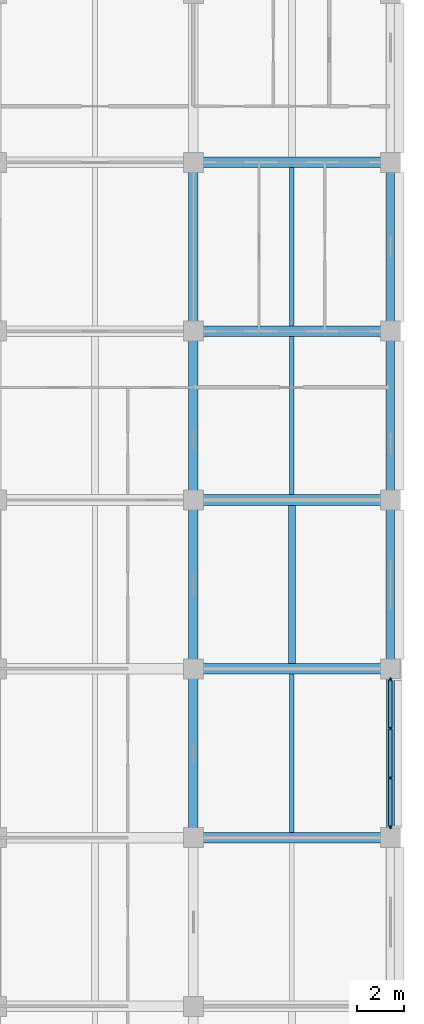
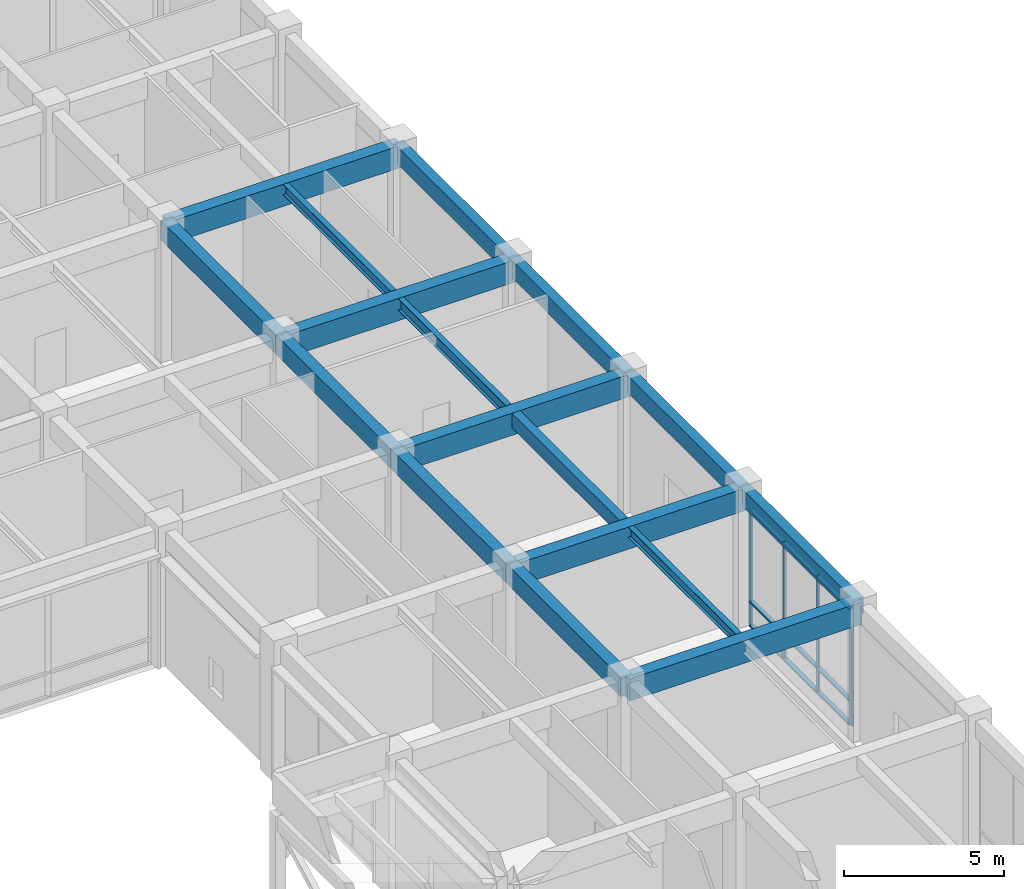
# One storey, part 27 of 68: 17 beams, 13 members, 1 element without a shape of its own.
"""IFC4 building model written with IfcOpenShell, lengths in metres."""

from ifc_helpers import new_model, si_unit, direction, frame, origin, origin_2d, place, context, subcontext, project, spatial, rectangle, i_section, extrude, material, layer, layer_set, material_profile, profile_set, type_object, element, aggregate, save


model = new_model("IFC4")

# Units and contexts
model_context = context("Model", 3, precision=1e-05, world=origin(), true_north=direction((0.0, 1.0)))
body_context = subcontext(model_context, "Body", "Model", "MODEL_VIEW")
ifc_project = project(units=[si_unit("LENGTHUNIT", "METRE"), si_unit("AREAUNIT", "SQUARE_METRE"), si_unit("VOLUMEUNIT", "CUBIC_METRE"), si_unit("PLANEANGLEUNIT", "RADIAN"), si_unit("MASSUNIT", "GRAM", prefix="KILO")], contexts=[model_context])

# Site, building, storey
site_placement = place(None, origin())
site = spatial("IfcSite", under=ifc_project, at=site_placement, CompositionType="ELEMENT")
building_placement = place(site_placement, origin())
building = spatial("IfcBuilding", under=site, at=building_placement, Name="Chengyuan Square Courthouse", CompositionType="ELEMENT")
storey_placement = place(building_placement, frame((0.0, 0.0, 5.39990234375)))
storey = spatial("IfcBuildingStorey", under=building, at=storey_placement, Name="L02", CompositionType="ELEMENT", Elevation=5.39990234375)

# Beams
ifc_material_1 = material(Name="Concrete C40", Category="concrete")
ifc_material_profile_1 = material_profile(ifc_material_1, rectangle(XDim=0.449951171875, YDim=0.85009765625, at=origin_2d()), Name="RC-BM-450x850")
ifc_profile_set_1 = profile_set([ifc_material_profile_1], Name="Concrete C40")
beam_type_1 = type_object("IfcBeamType", Name="BM-01", PredefinedType="USERDEFINED", material=ifc_profile_set_1)
for number, where, z_axis, x_axis, name in (
    (1, (159.60009765625, 64.800048828125, 4.695068359375), (1.0, 0.0, 0.0), (0.0, 1.0, 0.0), "Girder BM-L02-2114"),
    (2, (159.60009765625, 72.0, 4.695068359375), (1.0, 0.0, 0.0), (0.0, 1.0, 0.0), "Girder BM-L02-2118"),
    (3, (159.60009765625, 79.199951171875, 4.695068359375), (1.0, 0.0, 0.0), (0.0, 1.0, 0.0), "Girder BM-L02-2138"),
    (4, (159.60009765625, 86.39990234375, 4.695068359375), (1.0, 0.0, 0.0), (0.0, 1.0, 0.0), "Girder BM-L02-2158"),
    (5, (159.60009765625, 93.60009765625, 4.695068359375), (1.0, 0.0, 0.0), (0.0, 1.0, 0.0), "Girder BM-L02-2178"),
):
    element("IfcBeam", number, at=place(storey_placement, frame(where, z_axis=z_axis, x_axis=x_axis)), inside=storey, type_object=beam_type_1, Name=name, ObjectType="GIRDER", PredefinedType="USERDEFINED", context=body_context, shape_type="SweptSolid", body=[
        extrude(rectangle(XDim=0.449951171875, YDim=0.85009765625, at=origin_2d()), origin(), (0.0, 0.0, 1.0), 8.39990234375),
    ])
ifc_material_profile_2 = material_profile(ifc_material_1, rectangle(XDim=0.39990234375, YDim=0.75, at=origin_2d()), Name="RC-BM-400x750")
ifc_profile_set_2 = profile_set([ifc_material_profile_2], Name="Concrete C40")
beam_type_2 = type_object("IfcBeamType", Name="BM-02", PredefinedType="USERDEFINED", material=ifc_profile_set_2)
for number, where, z_axis, x_axis, name in (
    (6, (159.60009765625, 64.800048828125, 4.7451171875), (0.0, 1.0, 0.0), (-1.0, 0.0, 0.0), "Girder BM-L02-2369"),
    (7, (159.60009765625, 72.0, 4.7451171875), (0.0, 1.0, 0.0), (-1.0, 0.0, 0.0), "Girder BM-L02-2370"),
    (8, (159.60009765625, 79.199951171875, 4.7451171875), (0.0, 1.0, 0.0), (-1.0, 0.0, 0.0), "Girder BM-L02-2371"),
):
    element("IfcBeam", number, at=place(storey_placement, frame(where, z_axis=z_axis, x_axis=x_axis)), inside=storey, type_object=beam_type_2, Name=name, ObjectType="GIRDER", PredefinedType="USERDEFINED", context=body_context, shape_type="SweptSolid", body=[
        extrude(rectangle(XDim=0.39990234375, YDim=0.75, at=origin_2d()), origin(), (0.0, 0.0, 1.0), 7.199951171875),
    ])
beam_1_placement = place(storey_placement, frame((159.60009765625, 86.39990234375, 4.7451171875), z_axis=(0.0, 1.0, 0.0), x_axis=(-1.0, 0.0, 0.0)))
element("IfcBeam", 9, at=beam_1_placement, inside=storey, type_object=beam_type_2, Name="Girder BM-L02-2372", ObjectType="GIRDER", PredefinedType="USERDEFINED", context=body_context, shape_type="SweptSolid", body=[
    extrude(rectangle(XDim=0.39990234375, YDim=0.75, at=origin_2d()), origin(), (0.0, 0.0, 1.0), 7.2001953125),
])
ifc_material_profile_3 = material_profile(ifc_material_1, rectangle(XDim=0.35009765625, YDim=0.64990234375, at=origin_2d()), Name="RC-BM-350x650")
ifc_profile_set_3 = profile_set([ifc_material_profile_3], Name="Concrete C40")
beam_type_3 = type_object("IfcBeamType", Name="BM-03", PredefinedType="SPANDREL", material=ifc_profile_set_3)
for number, where, z_axis, x_axis, name in (
    (10, (168.0, 64.800048828125, 4.795166015625), (0.0, 1.0, 0.0), (-1.0, 0.0, 0.0), "Girder BM-L02-2384"),
    (11, (168.0, 72.0, 4.795166015625), (0.0, 1.0, 0.0), (-1.0, 0.0, 0.0), "Girder BM-L02-2385"),
    (12, (168.0, 79.199951171875, 4.795166015625), (0.0, 1.0, 0.0), (-1.0, 0.0, 0.0), "Girder BM-L02-2386"),
):
    element("IfcBeam", number, at=place(storey_placement, frame(where, z_axis=z_axis, x_axis=x_axis)), inside=storey, type_object=beam_type_3, Name=name, PredefinedType="SPANDREL", context=body_context, shape_type="SweptSolid", body=[
        extrude(rectangle(XDim=0.35009765625, YDim=0.64990234375, at=origin_2d()), origin(), (0.0, 0.0, 1.0), 7.199951171875),
    ])
beam_2_placement = place(storey_placement, frame((168.0, 86.39990234375, 4.795166015625), z_axis=(0.0, 1.0, 0.0), x_axis=(-1.0, 0.0, 0.0)))
element("IfcBeam", 13, at=beam_2_placement, inside=storey, type_object=beam_type_3, Name="Girder BM-L02-2387", PredefinedType="SPANDREL", context=body_context, shape_type="SweptSolid", body=[
    extrude(rectangle(XDim=0.35009765625, YDim=0.64990234375, at=origin_2d()), origin(), (0.0, 0.0, 1.0), 7.2001953125),
])
ifc_material_profile_4 = material_profile(ifc_material_1, rectangle(XDim=0.300048828125, YDim=0.550048828125, at=origin_2d()), Name="RC-BM-300x550")
ifc_profile_set_4 = profile_set([ifc_material_profile_4], Name="Concrete C40")
beam_type_4 = type_object("IfcBeamType", Name="BM-04", PredefinedType="BEAM", material=ifc_profile_set_4)
beam_3_placement = place(storey_placement, frame((163.800048828125, 72.22509765625, 4.84521484375), z_axis=(0.0, 1.0, 0.0), x_axis=(-1.0, 0.0, 0.0)))
element("IfcBeam", 14, at=beam_3_placement, inside=storey, type_object=beam_type_4, Name="Secondary Floor Beam SBM-L02-2503", PredefinedType="BEAM", context=body_context, shape_type="SweptSolid", body=[
    extrude(rectangle(XDim=0.300048828125, YDim=0.550048828125, at=origin_2d()), origin(), (0.0, 0.0, 1.0), 6.75),
])
ifc_material_2 = material(Name="Steel Q355B", Category="steel")
ifc_material_profile_5 = material_profile(ifc_material_2, i_section(OverallWidth=0.199951171875, OverallDepth=0.449951171875, WebThickness=0.009033203125, FlangeThickness=0.013916015625, at=origin_2d()), Name="HN 450x200x9x14")
ifc_profile_set_5 = profile_set([ifc_material_profile_5], Name="Steel Q355B")
beam_type_5 = type_object("IfcBeamType", Name="BM-06", PredefinedType="BEAM", material=ifc_profile_set_5)
beam_4_placement = place(storey_placement, frame((163.800048828125, 79.425048828125, 4.89501953125), z_axis=(0.0, 1.0, 0.0), x_axis=(-1.0, 0.0, 0.0)))
element("IfcBeam", 15, at=beam_4_placement, inside=storey, type_object=beam_type_5, Name="Secondary Floor Beam SBM-L02-2504", PredefinedType="BEAM", context=body_context, shape_type="SweptSolid", body=[
    extrude(i_section(OverallWidth=0.199951171875, OverallDepth=0.449951171875, WebThickness=0.009033203125, FlangeThickness=0.013916015625, at=origin_2d()), origin(), (0.0, 0.0, 1.0), 6.75),
])
ifc_material_profile_6 = material_profile(ifc_material_2, i_section(OverallWidth=0.199951171875, OverallDepth=0.39990234375, WebThickness=0.008056640625, FlangeThickness=0.012939453125, at=origin_2d()), Name="HN 400x200x8x13")
ifc_profile_set_6 = profile_set([ifc_material_profile_6], Name="Steel Q355B")
beam_type_6 = type_object("IfcBeamType", Name="BM-07", PredefinedType="BEAM", material=ifc_profile_set_6)
for number, where, z_axis, x_axis, name in (
    (16, (163.800048828125, 65.02490234375, 4.920166015625), (0.0, 1.0, 0.0), (-1.0, 0.0, 0.0), "Secondary Floor Beam SBM-L02-2502"),
    (17, (163.800048828125, 86.625, 4.920166015625), (0.0, 1.0, 0.0), (-1.0, 0.0, 0.0), "Secondary Floor Beam SBM-L02-2505"),
):
    element("IfcBeam", number, at=place(storey_placement, frame(where, z_axis=z_axis, x_axis=x_axis)), inside=storey, type_object=beam_type_6, Name=name, PredefinedType="BEAM", context=body_context, shape_type="SweptSolid", body=[
        extrude(i_section(OverallWidth=0.199951171875, OverallDepth=0.39990234375, WebThickness=0.008056640625, FlangeThickness=0.012939453125, at=origin_2d()), origin(), (0.0, 0.0, 1.0), 6.75),
    ])

# Curtain wall, members
ifc_material_3 = material(Name="Unitised Aluminium and Triple Low-E Glass", Category="aluminium")
ifc_layer = layer(ifc_material_3, 0.159912109375)
ifc_layer_set = layer_set([ifc_layer], Name="Unitised Aluminium and Triple Low-E Glass")
curtain_wall_type = type_object("IfcCurtainWallType", Name="CW-17", PredefinedType="USERDEFINED", material=ifc_layer_set)
curtain_wall_placement = place(storey_placement, origin())
curtain_wall = element("IfcCurtainWall", 18, at=curtain_wall_placement, inside=storey, type_object=curtain_wall_type, Name="Unitised Curtain Wall CW-L02-087", ObjectType="UNITISED CURTAIN WALL", PredefinedType="USERDEFINED")
ifc_material_4 = material(Name="Aluminium 6063-T6 Frame", Category="aluminium")
ifc_material_profile_7 = material_profile(ifc_material_4, rectangle(XDim=0.06005859375, YDim=0.159912109375, at=origin_2d()), Name="CW-MUL-60x160")
ifc_profile_set_7 = profile_set([ifc_material_profile_7], Name="Aluminium 6063-T6 Frame")
member_type_1 = type_object("IfcMemberType", Name="CWM-01", PredefinedType="MULLION", material=ifc_profile_set_7)
member_1_placement = place(storey_placement, frame((168.0, 65.2548828125, 0.0), z_axis=(0.0, 0.0, 1.0), x_axis=(-1.0, 0.0, 0.0)))
member_1 = element("IfcMember", 19, at=member_1_placement, type_object=member_type_1, Name="CW-17 mullion 1", PredefinedType="MULLION", context=body_context, shape_type="SweptSolid", body=[
    extrude(rectangle(XDim=0.06005859375, YDim=0.159912109375, at=origin_2d()), origin(), (0.0, 0.0, 1.0), 4.47021484375),
])
member_2_placement = place(storey_placement, frame((168.0, 67.341552734375, 0.0), z_axis=(0.0, 0.0, 1.0), x_axis=(-1.0, 0.0, 0.0)))
member_2 = element("IfcMember", 20, at=member_2_placement, type_object=member_type_1, Name="CW-17 mullion 2", PredefinedType="MULLION", context=body_context, shape_type="SweptSolid", body=[
    extrude(rectangle(XDim=0.06005859375, YDim=0.159912109375, at=origin_2d()), origin(), (0.0, 0.0, 1.0), 4.47021484375),
])
member_3_placement = place(storey_placement, frame((168.0, 69.458251953125, 0.0), z_axis=(0.0, 0.0, 1.0), x_axis=(-1.0, 0.0, 0.0)))
member_3 = element("IfcMember", 21, at=member_3_placement, type_object=member_type_1, Name="CW-17 mullion 3", PredefinedType="MULLION", context=body_context, shape_type="SweptSolid", body=[
    extrude(rectangle(XDim=0.06005859375, YDim=0.159912109375, at=origin_2d()), origin(), (0.0, 0.0, 1.0), 4.47021484375),
])
member_4_placement = place(storey_placement, frame((168.0, 71.544921875, 0.0), z_axis=(0.0, 0.0, 1.0), x_axis=(-1.0, 0.0, 0.0)))
member_4 = element("IfcMember", 22, at=member_4_placement, type_object=member_type_1, Name="CW-17 mullion 4", PredefinedType="MULLION", context=body_context, shape_type="SweptSolid", body=[
    extrude(rectangle(XDim=0.06005859375, YDim=0.159912109375, at=origin_2d()), origin(), (0.0, 0.0, 1.0), 4.47021484375),
])
ifc_material_profile_8 = material_profile(ifc_material_4, rectangle(XDim=0.159912109375, YDim=0.06005859375, at=origin_2d()), Name="CW-TRN-60x120")
ifc_profile_set_8 = profile_set([ifc_material_profile_8], Name="Aluminium 6063-T6 Frame")
member_type_2 = type_object("IfcMemberType", Name="CWT-01", PredefinedType="USERDEFINED", material=ifc_profile_set_8)
member_5_placement = place(storey_placement, frame((168.0, 65.284912109375, 0.030029296875), z_axis=(0.0, 1.0, 0.0), x_axis=(-1.0, 0.0, 0.0)))
member_5 = element("IfcMember", 23, at=member_5_placement, type_object=member_type_2, Name="CW-17 transom 1.1", ObjectType="TRANSOM", PredefinedType="USERDEFINED", context=body_context, shape_type="SweptSolid", body=[
    extrude(rectangle(XDim=0.159912109375, YDim=0.06005859375, at=origin_2d()), origin(), (0.0, 0.0, 1.0), 2.02685546875),
])
member_6_placement = place(storey_placement, frame((168.0, 65.284912109375, 0.9501953125), z_axis=(0.0, 1.0, 0.0), x_axis=(-1.0, 0.0, 0.0)))
member_6 = element("IfcMember", 24, at=member_6_placement, type_object=member_type_2, Name="CW-17 transom 1.2", ObjectType="TRANSOM", PredefinedType="USERDEFINED", context=body_context, shape_type="SweptSolid", body=[
    extrude(rectangle(XDim=0.159912109375, YDim=0.06005859375, at=origin_2d()), origin(), (0.0, 0.0, 1.0), 2.02685546875),
])
member_7_placement = place(storey_placement, frame((168.0, 65.284912109375, 4.440185546875), z_axis=(0.0, 1.0, 0.0), x_axis=(-1.0, 0.0, 0.0)))
member_7 = element("IfcMember", 25, at=member_7_placement, type_object=member_type_2, Name="CW-17 transom 1.3", ObjectType="TRANSOM", PredefinedType="USERDEFINED", context=body_context, shape_type="SweptSolid", body=[
    extrude(rectangle(XDim=0.159912109375, YDim=0.06005859375, at=origin_2d()), origin(), (0.0, 0.0, 1.0), 2.02685546875),
])
member_8_placement = place(storey_placement, frame((168.0, 67.37158203125, 0.030029296875), z_axis=(0.0, 1.0, 0.0), x_axis=(-1.0, 0.0, 0.0)))
member_8 = element("IfcMember", 26, at=member_8_placement, type_object=member_type_2, Name="CW-17 transom 2.1", ObjectType="TRANSOM", PredefinedType="USERDEFINED", context=body_context, shape_type="SweptSolid", body=[
    extrude(rectangle(XDim=0.159912109375, YDim=0.06005859375, at=origin_2d()), origin(), (0.0, 0.0, 1.0), 2.056640625),
])
member_9_placement = place(storey_placement, frame((168.0, 67.37158203125, 0.9501953125), z_axis=(0.0, 1.0, 0.0), x_axis=(-1.0, 0.0, 0.0)))
member_9 = element("IfcMember", 27, at=member_9_placement, type_object=member_type_2, Name="CW-17 transom 2.2", ObjectType="TRANSOM", PredefinedType="USERDEFINED", context=body_context, shape_type="SweptSolid", body=[
    extrude(rectangle(XDim=0.159912109375, YDim=0.06005859375, at=origin_2d()), origin(), (0.0, 0.0, 1.0), 2.056640625),
])
member_10_placement = place(storey_placement, frame((168.0, 67.37158203125, 4.440185546875), z_axis=(0.0, 1.0, 0.0), x_axis=(-1.0, 0.0, 0.0)))
member_10 = element("IfcMember", 28, at=member_10_placement, type_object=member_type_2, Name="CW-17 transom 2.3", ObjectType="TRANSOM", PredefinedType="USERDEFINED", context=body_context, shape_type="SweptSolid", body=[
    extrude(rectangle(XDim=0.159912109375, YDim=0.06005859375, at=origin_2d()), origin(), (0.0, 0.0, 1.0), 2.056640625),
])
member_11_placement = place(storey_placement, frame((168.0, 69.48828125, 0.030029296875), z_axis=(0.0, 1.0, 0.0), x_axis=(-1.0, 0.0, 0.0)))
member_11 = element("IfcMember", 29, at=member_11_placement, type_object=member_type_2, Name="CW-17 transom 3.1", ObjectType="TRANSOM", PredefinedType="USERDEFINED", context=body_context, shape_type="SweptSolid", body=[
    extrude(rectangle(XDim=0.159912109375, YDim=0.06005859375, at=origin_2d()), origin(), (0.0, 0.0, 1.0), 2.026611328125),
])
member_12_placement = place(storey_placement, frame((168.0, 69.48828125, 0.9501953125), z_axis=(0.0, 1.0, 0.0), x_axis=(-1.0, 0.0, 0.0)))
member_12 = element("IfcMember", 30, at=member_12_placement, type_object=member_type_2, Name="CW-17 transom 3.2", ObjectType="TRANSOM", PredefinedType="USERDEFINED", context=body_context, shape_type="SweptSolid", body=[
    extrude(rectangle(XDim=0.159912109375, YDim=0.06005859375, at=origin_2d()), origin(), (0.0, 0.0, 1.0), 2.026611328125),
])
member_13_placement = place(storey_placement, frame((168.0, 69.48828125, 4.440185546875), z_axis=(0.0, 1.0, 0.0), x_axis=(-1.0, 0.0, 0.0)))
member_13 = element("IfcMember", 31, at=member_13_placement, type_object=member_type_2, Name="CW-17 transom 3.3", ObjectType="TRANSOM", PredefinedType="USERDEFINED", context=body_context, shape_type="SweptSolid", body=[
    extrude(rectangle(XDim=0.159912109375, YDim=0.06005859375, at=origin_2d()), origin(), (0.0, 0.0, 1.0), 2.026611328125),
])
aggregate(curtain_wall, [member_1, member_2, member_3, member_4, member_5, member_6, member_7, member_8, member_9, member_10, member_11, member_12, member_13])

save(model, "model.ifc")
